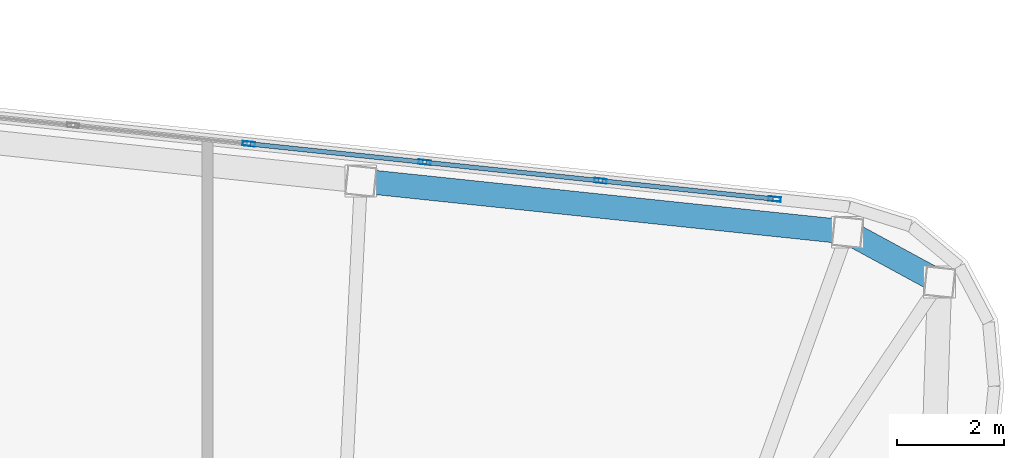
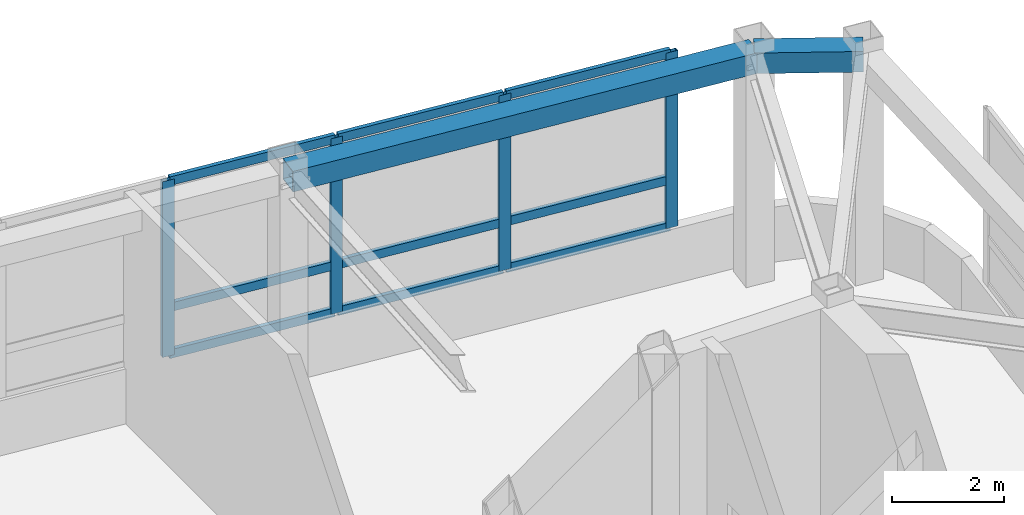
# One storey, part 17 of 23: 13 members, 2 beams, 1 element without a shape of its own.
"""IFC4 building model written with IfcOpenShell, lengths in metres."""

from ifc_helpers import new_model, si_unit, direction, frame, origin, origin_2d, place, context, subcontext, project, spatial, hollow_rectangle, extrude, material, layer, layer_set, material_profile, profile_set, type_object, element, aggregate, save


model = new_model("IFC4")

# Units and contexts
model_context = context("Model", 3, precision=1e-05, world=origin(), true_north=direction((0.0, 1.0)))
body_context = subcontext(model_context, "Body", "Model", "MODEL_VIEW")
ifc_project = project(units=[si_unit("LENGTHUNIT", "METRE"), si_unit("AREAUNIT", "SQUARE_METRE"), si_unit("VOLUMEUNIT", "CUBIC_METRE"), si_unit("PLANEANGLEUNIT", "RADIAN"), si_unit("MASSUNIT", "GRAM", prefix="KILO")], contexts=[model_context])

# Site, building, storey
site_placement = place(None, origin())
site = spatial("IfcSite", under=ifc_project, at=site_placement, CompositionType="ELEMENT")
building_placement = place(site_placement, origin())
building = spatial("IfcBuilding", under=site, at=building_placement, Name="Voryun Gate Residences", CompositionType="ELEMENT")
storey_placement = place(building_placement, frame((0.0, 0.0, 331.89990234375)))
storey = spatial("IfcBuildingStorey", under=building, at=storey_placement, Name="L81", CompositionType="ELEMENT", Elevation=331.89990234375)

# Beams
ifc_material_1 = material(Name="Steel SM355", Category="steel")
ifc_material_profile_1 = material_profile(ifc_material_1, hollow_rectangle(XDim=0.449951171875, YDim=0.449951171875, WallThickness=0.01806640625, at=origin_2d()), Name="BOX-450x450x18")
ifc_profile_set_1 = profile_set([ifc_material_profile_1], Name="Steel SM355")
beam_type = type_object("IfcBeamType", Name="BM_CROWN_RING", PredefinedType="BEAM", material=ifc_profile_set_1)
beam_1_placement = place(storey_placement, frame((23.603759765625, 13.9404296875, 4.800048828125), z_axis=(-0.87877849121, 0.477229885262, 0.0), x_axis=(-0.477229885262, -0.87877849121, 0.0)))
element("IfcBeam", 1, at=beam_1_placement, inside=storey, type_object=beam_type, Name="BM-L81-SPAND-10", PredefinedType="BEAM", context=body_context, shape_type="SweptSolid", body=[
    extrude(hollow_rectangle(XDim=0.449951171875, YDim=0.449951171875, WallThickness=0.01806640625, at=origin_2d()), origin(), (0.0, 0.0, 1.0), 1.95166015625),
])
beam_2_placement = place(storey_placement, frame((21.888671875, 14.871826171875, 4.800048828125), z_axis=(-0.994523919568, 0.104509202498, 0.0), x_axis=(-0.104509202498, -0.994523919568, 0.0)))
element("IfcBeam", 2, at=beam_2_placement, inside=storey, type_object=beam_type, Name="BM-L81-SPAND-11", PredefinedType="BEAM", context=body_context, shape_type="SweptSolid", body=[
    extrude(hollow_rectangle(XDim=0.449951171875, YDim=0.449951171875, WallThickness=0.01806640625, at=origin_2d()), origin(), (0.0, 0.0, 1.0), 9.1201171875),
])

# Curtain wall, members
ifc_material_2 = material(Name="Anodised aluminium", Category="aluminium")
ifc_layer = layer(ifc_material_2, 0.22998046875, Name="CW_SYS_LANTERN_DARK_GLASS")
ifc_layer_set = layer_set([ifc_layer], Name="Anodised aluminium")
curtain_wall_type = type_object("IfcCurtainWallType", Name="CW_SYS_LANTERN_DARK_GLASS", PredefinedType="NOTDEFINED", material=ifc_layer_set)
curtain_wall_placement = place(storey_placement, origin())
curtain_wall = element("IfcCurtainWall", 3, at=curtain_wall_placement, inside=storey, type_object=curtain_wall_type, Name="Curtain wall CW6-L81-11", PredefinedType="NOTDEFINED")
ifc_material_3 = material(Name="Anodised aluminium", Category="aluminium")
ifc_material_profile_2 = material_profile(ifc_material_3, hollow_rectangle(XDim=0.0849609375, YDim=0.22998046875, WallThickness=0.006103515625, at=origin_2d()), Name="ALU-MULL-230x85x6")
ifc_profile_set_2 = profile_set([ifc_material_profile_2], Name="Anodised aluminium")
member_type_1 = type_object("IfcMemberType", Name="CW_MULL_LANT", PredefinedType="MULLION", material=ifc_profile_set_2)
member_1_placement = place(storey_placement, frame((10.730712890625, 16.51708984375, 1.190185546875), z_axis=(0.0, 0.0, 1.0), x_axis=(0.10452775858, 0.994521969434, 0.0)))
member_1 = element("IfcMember", 4, at=member_1_placement, type_object=member_type_1, Name="CW6 mullion 11", PredefinedType="MULLION", context=body_context, shape_type="SweptSolid", body=[
    extrude(hollow_rectangle(XDim=0.0849609375, YDim=0.22998046875, WallThickness=0.006103515625, at=origin_2d()), origin(), (0.0, 0.0, 1.0), 3.8349609375),
])
member_2_placement = place(storey_placement, frame((14.007568359375, 16.172607421875, 1.190185546875), z_axis=(0.0, 0.0, 1.0), x_axis=(0.10452775858, 0.994521969434, 0.0)))
member_2 = element("IfcMember", 5, at=member_2_placement, type_object=member_type_1, Name="CW6 mullion 12", PredefinedType="MULLION", context=body_context, shape_type="SweptSolid", body=[
    extrude(hollow_rectangle(XDim=0.0849609375, YDim=0.22998046875, WallThickness=0.006103515625, at=origin_2d()), origin(), (0.0, 0.0, 1.0), 3.8349609375),
])
member_3_placement = place(storey_placement, frame((17.2841796875, 15.828369140625, 1.190185546875), z_axis=(0.0, 0.0, 1.0), x_axis=(0.10452775858, 0.994521969434, 0.0)))
member_3 = element("IfcMember", 6, at=member_3_placement, type_object=member_type_1, Name="CW6 mullion 13", PredefinedType="MULLION", context=body_context, shape_type="SweptSolid", body=[
    extrude(hollow_rectangle(XDim=0.0849609375, YDim=0.22998046875, WallThickness=0.006103515625, at=origin_2d()), origin(), (0.0, 0.0, 1.0), 3.8349609375),
])
member_4_placement = place(storey_placement, frame((20.53076171875, 15.487060546875, 1.190185546875), z_axis=(0.0, 0.0, 1.0), x_axis=(0.10452775858, 0.994521969434, 0.0)))
member_4 = element("IfcMember", 7, at=member_4_placement, type_object=member_type_1, Name="CW6 mullion 14", PredefinedType="MULLION", context=body_context, shape_type="SweptSolid", body=[
    extrude(hollow_rectangle(XDim=0.0849609375, YDim=0.22998046875, WallThickness=0.006103515625, at=origin_2d()), origin(), (0.0, 0.0, 1.0), 3.8349609375),
])
ifc_material_4 = material(Name="Anodised aluminium", Category="aluminium")
ifc_material_profile_3 = material_profile(ifc_material_4, hollow_rectangle(XDim=0.0849609375, YDim=0.18994140625, WallThickness=0.006103515625, at=origin_2d()), Name="ALU-TRAN-190x85x6")
ifc_profile_set_3 = profile_set([ifc_material_profile_3], Name="Anodised aluminium")
member_type_2 = type_object("IfcMemberType", Name="CW_TRAN_LANT", PredefinedType="USERDEFINED", material=ifc_profile_set_3)
member_5_placement = place(storey_placement, frame((10.7607421875, 16.513916015625, 1.22021484375), z_axis=(0.994520745033, -0.104539407398, 0.0), x_axis=(0.104539407398, 0.994520745033, 0.0)))
member_5 = element("IfcMember", 8, at=member_5_placement, type_object=member_type_2, Name="CW6 transom 11.1", ObjectType="TRANSOM", PredefinedType="USERDEFINED", context=body_context, shape_type="SweptSolid", body=[
    extrude(hollow_rectangle(XDim=0.0849609375, YDim=0.18994140625, WallThickness=0.006103515625, at=origin_2d()), origin(), (0.0, 0.0, 1.0), 3.234619140625),
])
member_6_placement = place(storey_placement, frame((10.7607421875, 16.513916015625, 2.239990234375), z_axis=(0.994520745033, -0.104539407398, 0.0), x_axis=(0.104539407398, 0.994520745033, 0.0)))
member_6 = element("IfcMember", 9, at=member_6_placement, type_object=member_type_2, Name="CW6 transom 11.2", ObjectType="TRANSOM", PredefinedType="USERDEFINED", context=body_context, shape_type="SweptSolid", body=[
    extrude(hollow_rectangle(XDim=0.0849609375, YDim=0.18994140625, WallThickness=0.006103515625, at=origin_2d()), origin(), (0.0, 0.0, 1.0), 3.234619140625),
])
member_7_placement = place(storey_placement, frame((10.7607421875, 16.513916015625, 4.9951171875), z_axis=(0.994520745033, -0.104539407398, 0.0), x_axis=(0.104539407398, 0.994520745033, 0.0)))
member_7 = element("IfcMember", 10, at=member_7_placement, type_object=member_type_2, Name="CW6 transom 11.3", ObjectType="TRANSOM", PredefinedType="USERDEFINED", context=body_context, shape_type="SweptSolid", body=[
    extrude(hollow_rectangle(XDim=0.0849609375, YDim=0.18994140625, WallThickness=0.006103515625, at=origin_2d()), origin(), (0.0, 0.0, 1.0), 3.234619140625),
])
member_8_placement = place(storey_placement, frame((14.037353515625, 16.16943359375, 1.22021484375), z_axis=(0.994520745033, -0.104539407398, 0.0), x_axis=(0.104539407398, 0.994520745033, 0.0)))
member_8 = element("IfcMember", 11, at=member_8_placement, type_object=member_type_2, Name="CW6 transom 12.1", ObjectType="TRANSOM", PredefinedType="USERDEFINED", context=body_context, shape_type="SweptSolid", body=[
    extrude(hollow_rectangle(XDim=0.0849609375, YDim=0.18994140625, WallThickness=0.006103515625, at=origin_2d()), origin(), (0.0, 0.0, 1.0), 3.234619140625),
])
member_9_placement = place(storey_placement, frame((14.037353515625, 16.16943359375, 2.239990234375), z_axis=(0.994520745033, -0.104539407398, 0.0), x_axis=(0.104539407398, 0.994520745033, 0.0)))
member_9 = element("IfcMember", 12, at=member_9_placement, type_object=member_type_2, Name="CW6 transom 12.2", ObjectType="TRANSOM", PredefinedType="USERDEFINED", context=body_context, shape_type="SweptSolid", body=[
    extrude(hollow_rectangle(XDim=0.0849609375, YDim=0.18994140625, WallThickness=0.006103515625, at=origin_2d()), origin(), (0.0, 0.0, 1.0), 3.234619140625),
])
member_10_placement = place(storey_placement, frame((14.037353515625, 16.16943359375, 4.9951171875), z_axis=(0.994520745033, -0.104539407398, 0.0), x_axis=(0.104539407398, 0.994520745033, 0.0)))
member_10 = element("IfcMember", 13, at=member_10_placement, type_object=member_type_2, Name="CW6 transom 12.3", ObjectType="TRANSOM", PredefinedType="USERDEFINED", context=body_context, shape_type="SweptSolid", body=[
    extrude(hollow_rectangle(XDim=0.0849609375, YDim=0.18994140625, WallThickness=0.006103515625, at=origin_2d()), origin(), (0.0, 0.0, 1.0), 3.234619140625),
])
member_11_placement = place(storey_placement, frame((17.31396484375, 15.8251953125, 1.22021484375), z_axis=(0.994522138405, -0.104526150903, 0.0), x_axis=(0.104526150903, 0.994522138405, 0.0)))
member_11 = element("IfcMember", 14, at=member_11_placement, type_object=member_type_2, Name="CW6 transom 13.1", ObjectType="TRANSOM", PredefinedType="USERDEFINED", context=body_context, shape_type="SweptSolid", body=[
    extrude(hollow_rectangle(XDim=0.0849609375, YDim=0.18994140625, WallThickness=0.006103515625, at=origin_2d()), origin(), (0.0, 0.0, 1.0), 3.20458984375),
])
member_12_placement = place(storey_placement, frame((17.31396484375, 15.8251953125, 2.239990234375), z_axis=(0.994522138405, -0.104526150903, 0.0), x_axis=(0.104526150903, 0.994522138405, 0.0)))
member_12 = element("IfcMember", 15, at=member_12_placement, type_object=member_type_2, Name="CW6 transom 13.2", ObjectType="TRANSOM", PredefinedType="USERDEFINED", context=body_context, shape_type="SweptSolid", body=[
    extrude(hollow_rectangle(XDim=0.0849609375, YDim=0.18994140625, WallThickness=0.006103515625, at=origin_2d()), origin(), (0.0, 0.0, 1.0), 3.20458984375),
])
member_13_placement = place(storey_placement, frame((17.31396484375, 15.8251953125, 4.9951171875), z_axis=(0.994522138405, -0.104526150903, 0.0), x_axis=(0.104526150903, 0.994522138405, 0.0)))
member_13 = element("IfcMember", 16, at=member_13_placement, type_object=member_type_2, Name="CW6 transom 13.3", ObjectType="TRANSOM", PredefinedType="USERDEFINED", context=body_context, shape_type="SweptSolid", body=[
    extrude(hollow_rectangle(XDim=0.0849609375, YDim=0.18994140625, WallThickness=0.006103515625, at=origin_2d()), origin(), (0.0, 0.0, 1.0), 3.20458984375),
])
aggregate(curtain_wall, [member_1, member_2, member_3, member_4, member_5, member_6, member_7, member_8, member_9, member_10, member_11, member_12, member_13])

save(model, "model.ifc")
